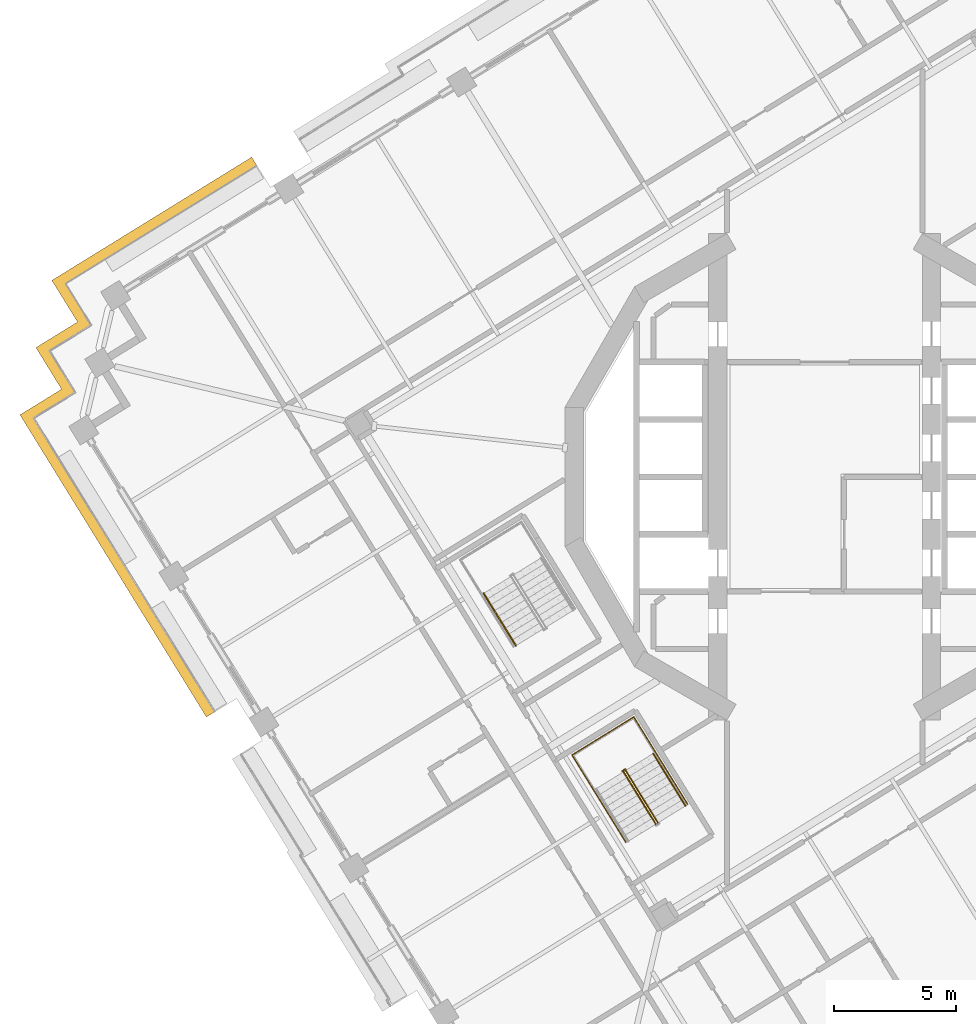
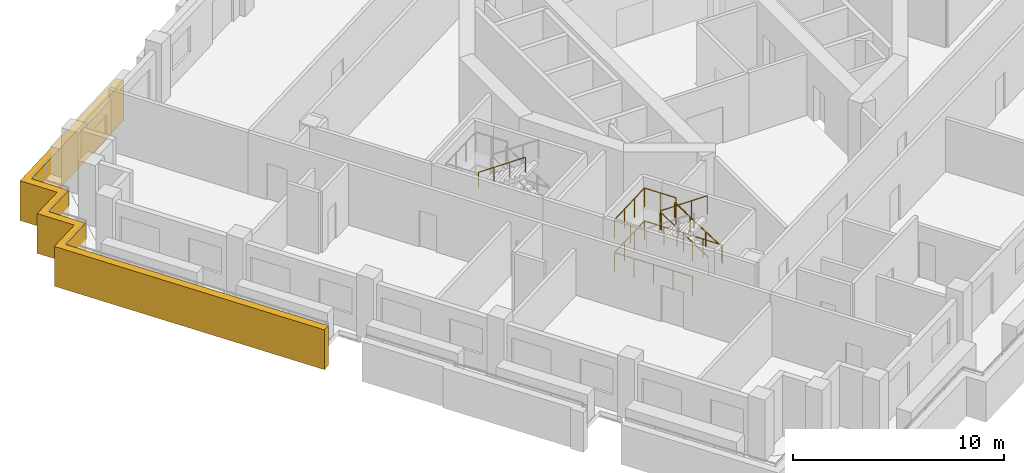
# One storey, part 13 of 20: 6 railings, 1 covering.
"""IFC4 building model written with IfcOpenShell, lengths in metres."""

from ifc_helpers import new_model, si_unit, direction, frame, origin, origin_2d, place, context, subcontext, project, spatial, polyline, circle, outline, extrude, material, type_object, element, save


model = new_model("IFC4")

# Units and contexts
model_context = context("Model", 3, precision=1e-05, world=origin(), true_north=direction((0.0, 1.0)))
body_context = subcontext(model_context, "Body", "Model", "MODEL_VIEW")
ifc_project = project(units=[si_unit("LENGTHUNIT", "METRE"), si_unit("AREAUNIT", "SQUARE_METRE"), si_unit("VOLUMEUNIT", "CUBIC_METRE"), si_unit("PLANEANGLEUNIT", "RADIAN"), si_unit("MASSUNIT", "GRAM", prefix="KILO")], contexts=[model_context])

# Site, building, storey
site_placement = place(None, origin())
site = spatial("IfcSite", under=ifc_project, at=site_placement, CompositionType="ELEMENT")
building_placement = place(site_placement, origin())
building = spatial("IfcBuilding", under=site, at=building_placement, Name="Cantera Rosa Tower", CompositionType="ELEMENT")
storey_placement = place(building_placement, frame((0.0, 0.0, 181.800048828125)))
storey = spatial("IfcBuildingStorey", under=building, at=storey_placement, Name="L40", CompositionType="ELEMENT", Elevation=181.800048828125)

# Railings
ifc_material_1 = material(Name="Steel S355J2 (EN 10025-2)", Category="steel")
railing_type_1 = type_object("IfcRailingType", Name="STAIR GUARD 1100", PredefinedType="GUARDRAIL", material=ifc_material_1)
railing_1_placement = place(storey_placement, frame((-6.8232421875, -14.165771484375, 0.18994140625)))
element("IfcRailing", 1, at=railing_1_placement, inside=storey, type_object=railing_type_1, Name="L40 ST-33 stair guard 1", PredefinedType="GUARDRAIL", context=body_context, shape_type="SweptSolid", body=[
    extrude(circle(Radius=0.02392578125, at=origin_2d()), frame((0.0, 0.0, 1.076171875), z_axis=(-0.434427613125, 0.704271375033, 0.561493080334), x_axis=(-0.851102330005, -0.524999832248, 0.0)), (0.0, 0.0, 1.0), 3.04541015625),
    extrude(circle(Radius=0.02392578125, at=origin_2d()), frame((-1.322998046875, 2.144775390625, 2.7861328125), z_axis=(-0.073711968402, 0.997279572494, 0.0), x_axis=(-0.997279572494, -0.073711968402, 0.0)), (0.0, 0.0, 1.0), 0.056396484375),
    extrude(circle(Radius=0.02392578125, at=origin_2d()), frame((-1.3271484375, 2.200927734375, 2.7861328125), z_axis=(-0.851546489876, -0.524279100842, 0.0), x_axis=(0.524279100842, -0.851546489876, 0.0)), (0.0, 0.0, 1.0), 0.14990234375),
    extrude(circle(Radius=0.02099609375, at=origin_2d()), origin(), (0.0, 0.0, 1.0), 1.052001953125),
    extrude(circle(Radius=0.02099609375, at=origin_2d()), frame((-0.44091796875, 0.71484375, 0.570068359375)), (0.0, 0.0, 1.0), 1.052001953125),
    extrude(circle(Radius=0.02099609375, at=origin_2d()), frame((-0.882080078125, 1.429931640625, 1.139892578125)), (0.0, 0.0, 1.0), 1.052001953125),
    extrude(circle(Radius=0.02099609375, at=origin_2d()), frame((-1.322998046875, 2.144775390625, 1.7099609375)), (0.0, 0.0, 1.0), 1.052001953125),
    extrude(circle(Radius=0.02099609375, at=origin_2d()), frame((-1.3271484375, 2.200927734375, 1.7099609375)), (0.0, 0.0, 1.0), 1.052001953125),
    extrude(circle(Radius=0.02099609375, at=origin_2d()), frame((-1.454833984375, 2.122314453125, 1.7099609375)), (0.0, 0.0, 1.0), 1.052001953125),
])
railing_2_placement = place(storey_placement, frame((-8.229736328125, -12.072509765625, 2.08984375)))
element("IfcRailing", 2, at=railing_2_placement, inside=storey, type_object=railing_type_1, Name="L40 ST-33 stair guard 2", PredefinedType="GUARDRAIL", context=body_context, shape_type="SweptSolid", body=[
    extrude(circle(Radius=0.02392578125, at=origin_2d()), frame((0.0, 0.0, 1.076171875), z_axis=(0.434408057947, -0.704239673199, 0.561547969352), x_axis=(0.851102330005, 0.524999832248, 0.0)), (0.0, 0.0, 1.0), 3.04541015625),
    extrude(circle(Radius=0.02099609375, at=origin_2d()), origin(), (0.0, 0.0, 1.0), 1.052001953125),
    extrude(circle(Radius=0.02099609375, at=origin_2d()), frame((0.44091796875, -0.71484375, 0.570068359375)), (0.0, 0.0, 1.0), 1.052001953125),
    extrude(circle(Radius=0.02099609375, at=origin_2d()), frame((0.882080078125, -1.429931640625, 1.14013671875)), (0.0, 0.0, 1.0), 1.052001953125),
    extrude(circle(Radius=0.02099609375, at=origin_2d()), frame((1.322998046875, -2.144775390625, 1.710205078125)), (0.0, 0.0, 1.0), 1.052001953125),
])
railing_3_placement = place(storey_placement, frame((-5.607421875, -13.40185546875, 0.0)))
element("IfcRailing", 3, at=railing_3_placement, inside=storey, type_object=railing_type_1, Name="L40 ST-33 stair guard 4", PredefinedType="GUARDRAIL", context=body_context, shape_type="SweptSolid", body=[
    extrude(circle(Radius=0.02392578125, at=origin_2d()), frame((0.0, 0.0, 1.076171875), z_axis=(-0.524976478809, 0.851116735059, 0.0), x_axis=(-0.851116735059, -0.524976478809, 0.0)), (0.0, 0.0, 1.0), 4.197998046875),
    extrude(circle(Radius=0.02392578125, at=origin_2d()), frame((-2.203857421875, 3.572998046875, 1.076171875), z_axis=(-0.851132917336, -0.524950242429, 0.0), x_axis=(0.524950242429, -0.851132917336, 0.0)), (0.0, 0.0, 1.0), 2.969970703125),
    extrude(circle(Radius=0.02392578125, at=origin_2d()), frame((-4.731689453125, 2.013916015625, 1.076171875), z_axis=(0.524976478809, -0.851116735059, 0.0), x_axis=(0.851116735059, 0.524976478809, 0.0)), (0.0, 0.0, 1.0), 4.197998046875),
    extrude(circle(Radius=0.02099609375, at=origin_2d()), origin(), (0.0, 0.0, 1.0), 1.052001953125),
    extrude(circle(Radius=0.02099609375, at=origin_2d()), frame((-0.551025390625, 0.893310546875, 0.0)), (0.0, 0.0, 1.0), 1.052001953125),
    extrude(circle(Radius=0.02099609375, at=origin_2d()), frame((-1.10205078125, 1.78662109375, 0.0)), (0.0, 0.0, 1.0), 1.052001953125),
    extrude(circle(Radius=0.02099609375, at=origin_2d()), frame((-1.65283203125, 2.6796875, 0.0)), (0.0, 0.0, 1.0), 1.052001953125),
    extrude(circle(Radius=0.02099609375, at=origin_2d()), frame((-2.203857421875, 3.572998046875, 0.0)), (0.0, 0.0, 1.0), 1.052001953125),
    extrude(circle(Radius=0.02099609375, at=origin_2d()), frame((-3.04638671875, 3.05322265625, 0.0)), (0.0, 0.0, 1.0), 1.052001953125),
    extrude(circle(Radius=0.02099609375, at=origin_2d()), frame((-3.88916015625, 2.53369140625, 0.0)), (0.0, 0.0, 1.0), 1.052001953125),
    extrude(circle(Radius=0.02099609375, at=origin_2d()), frame((-4.731689453125, 2.013916015625, 0.0)), (0.0, 0.0, 1.0), 1.052001953125),
    extrude(circle(Radius=0.02099609375, at=origin_2d()), frame((-4.1806640625, 1.12060546875, 0.0)), (0.0, 0.0, 1.0), 1.052001953125),
    extrude(circle(Radius=0.02099609375, at=origin_2d()), frame((-3.6298828125, 0.2275390625, 0.0)), (0.0, 0.0, 1.0), 1.052001953125),
    extrude(circle(Radius=0.02099609375, at=origin_2d()), frame((-3.078857421875, -0.665771484375, 0.0)), (0.0, 0.0, 1.0), 1.052001953125),
    extrude(circle(Radius=0.02099609375, at=origin_2d()), frame((-2.52783203125, -1.55908203125, 0.0)), (0.0, 0.0, 1.0), 1.052001953125),
])
railing_4_placement = place(storey_placement, frame((-6.917724609375, -11.27734375, 1.89990234375)))
element("IfcRailing", 4, at=railing_4_placement, inside=storey, type_object=railing_type_1, Name="L40 ST-33 stair guard 5", PredefinedType="GUARDRAIL", context=body_context, shape_type="SweptSolid", body=[
    extrude(circle(Radius=0.02392578125, at=origin_2d()), frame((0.0, 0.0, 1.076171875), z_axis=(-0.525025534833, 0.851086474909, 0.0), x_axis=(-0.851086474909, -0.525025534833, 0.0)), (0.0, 0.0, 1.0), 1.701904296875),
    extrude(circle(Radius=0.02392578125, at=origin_2d()), frame((-0.8935546875, 1.448486328125, 1.076171875), z_axis=(-0.851132917336, -0.524950242429, 0.0), x_axis=(0.524950242429, -0.851132917336, 0.0)), (0.0, 0.0, 1.0), 2.969970703125),
    extrude(circle(Radius=0.02392578125, at=origin_2d()), frame((-3.42138671875, -0.110595703125, 1.076171875), z_axis=(0.524961441845, -0.851126009811, 0.0), x_axis=(0.851126009811, 0.524961441845, 0.0)), (0.0, 0.0, 1.0), 1.7021484375),
    extrude(circle(Radius=0.02099609375, at=origin_2d()), origin(), (0.0, 0.0, 1.0), 1.052001953125),
    extrude(circle(Radius=0.02099609375, at=origin_2d()), frame((-0.44677734375, 0.72412109375, 0.0)), (0.0, 0.0, 1.0), 1.052001953125),
    extrude(circle(Radius=0.02099609375, at=origin_2d()), frame((-0.8935546875, 1.448486328125, 0.0)), (0.0, 0.0, 1.0), 1.052001953125),
    extrude(circle(Radius=0.02099609375, at=origin_2d()), frame((-1.736083984375, 0.9287109375, 0.0)), (0.0, 0.0, 1.0), 1.052001953125),
    extrude(circle(Radius=0.02099609375, at=origin_2d()), frame((-2.578857421875, 0.4091796875, 0.0)), (0.0, 0.0, 1.0), 1.052001953125),
    extrude(circle(Radius=0.02099609375, at=origin_2d()), frame((-3.42138671875, -0.110595703125, 0.0)), (0.0, 0.0, 1.0), 1.052001953125),
    extrude(circle(Radius=0.02099609375, at=origin_2d()), frame((-2.974609375, -0.8349609375, 0.0)), (0.0, 0.0, 1.0), 1.052001953125),
    extrude(circle(Radius=0.02099609375, at=origin_2d()), frame((-2.52783203125, -1.559326171875, 0.0)), (0.0, 0.0, 1.0), 1.052001953125),
])
ifc_material_2 = material(Name="Steel S355J2 (EN 10025-2)", Category="steel")
railing_type_2 = type_object("IfcRailingType", Name="STAIR HANDRAIL 900", PredefinedType="HANDRAIL", material=ifc_material_2)
railing_5_placement = place(storey_placement, frame((-13.958251953125, -4.7685546875, 2.08984375)))
element("IfcRailing", 5, at=railing_5_placement, inside=storey, type_object=railing_type_2, Name="L40 ST-32 stair handrail 2", PredefinedType="HANDRAIL", context=body_context, shape_type="SweptSolid", body=[
    extrude(circle(Radius=0.02392578125, at=origin_2d()), frame((0.0, 0.0, 0.8759765625), z_axis=(0.434408057947, -0.704239673199, 0.561547969352), x_axis=(0.851102330005, 0.524999832248, 0.0)), (0.0, 0.0, 1.0), 3.04541015625),
    extrude(circle(Radius=0.02099609375, at=origin_2d()), origin(), (0.0, 0.0, 1.0), 0.851806640625),
    extrude(circle(Radius=0.02099609375, at=origin_2d()), frame((0.44091796875, -0.71484375, 0.570068359375)), (0.0, 0.0, 1.0), 0.851806640625),
    extrude(circle(Radius=0.02099609375, at=origin_2d()), frame((0.882080078125, -1.429931640625, 1.14013671875)), (0.0, 0.0, 1.0), 0.851806640625),
    extrude(circle(Radius=0.02099609375, at=origin_2d()), frame((1.322998046875, -2.144775390625, 1.710205078125)), (0.0, 0.0, 1.0), 0.851806640625),
])
railing_6_placement = place(storey_placement, frame((-5.69482421875, -13.4697265625, 0.18994140625)))
element("IfcRailing", 6, at=railing_6_placement, inside=storey, type_object=railing_type_2, Name="L40 ST-33 stair handrail 1", PredefinedType="HANDRAIL", context=body_context, shape_type="SweptSolid", body=[
    extrude(circle(Radius=0.02392578125, at=origin_2d()), frame((0.0, 0.0, 0.8759765625), z_axis=(-0.434362572038, 0.70429590169, 0.561512634654), x_axis=(-0.851145618652, -0.524929648476, 0.0)), (0.0, 0.0, 1.0), 3.045166015625),
    extrude(circle(Radius=0.02099609375, at=origin_2d()), origin(), (0.0, 0.0, 1.0), 0.851806640625),
    extrude(circle(Radius=0.02099609375, at=origin_2d()), frame((-0.44091796875, 0.71484375, 0.570068359375)), (0.0, 0.0, 1.0), 0.851806640625),
    extrude(circle(Radius=0.02099609375, at=origin_2d()), frame((-0.8818359375, 1.429931640625, 1.139892578125)), (0.0, 0.0, 1.0), 0.851806640625),
    extrude(circle(Radius=0.02099609375, at=origin_2d()), frame((-1.32275390625, 2.144775390625, 1.7099609375)), (0.0, 0.0, 1.0), 0.851806640625),
])

# Covering
ifc_material_3 = material(Name="Cantera stone", Category="masonry")
covering_type = type_object("IfcCoveringType", Name="TRAY FASCIA 400", PredefinedType="CLADDING", material=ifc_material_3)
covering_placement = place(storey_placement, frame((0.0, 0.0, -1.400146484375)))
element("IfcCovering", 7, at=covering_placement, inside=storey, type_object=covering_type, Name="TRAY FASCIA L40-01", PredefinedType="CLADDING", context=body_context, shape_type="SweptSolid", body=[
    extrude(outline(polyline([(-25.35498046875, -9.752685546875), (-27.46533203125, -6.331298828125), (-29.040283203125, -3.77783203125), (-31.938232421875, 0.920166015625), (-32.935546875, 2.537353515625), (-31.2333984375, 3.58740234375), (-31.285888671875, 3.67236328125), (-32.283447265625, 5.28955078125), (-30.666259765625, 6.286865234375), (-30.5810546875, 6.339599609375), (-30.633544921875, 6.424560546875), (-31.631103515625, 8.041748046875), (-30.013916015625, 9.0390625), (-24.209228515625, 12.61962890625), (-23.451904296875, 13.086669921875), (-23.241943359375, 12.746337890625), (-23.999267578125, 12.279052734375), (-29.803955078125, 8.69873046875), (-31.08056640625, 7.911376953125), (-30.293212890625, 6.634521484375), (-30.03076171875, 6.208984375), (-30.456298828125, 5.946533203125), (-31.73291015625, 5.1591796875), (-30.9453125, 3.88232421875), (-30.682861328125, 3.456787109375), (-31.1083984375, 3.1943359375), (-32.38525390625, 2.406982421875), (-31.59765625, 1.130126953125), (-28.699951171875, -3.56787109375), (-27.125, -6.121337890625), (-25.014404296875, -9.542724609375), (-24.96728515625, -9.619384765625), (-25.3076171875, -9.829345703125), (-25.35498046875, -9.752685546875)])), origin(), (0.0, 0.0, 1.0), 2.300048828125),
])

save(model, "model.ifc")
